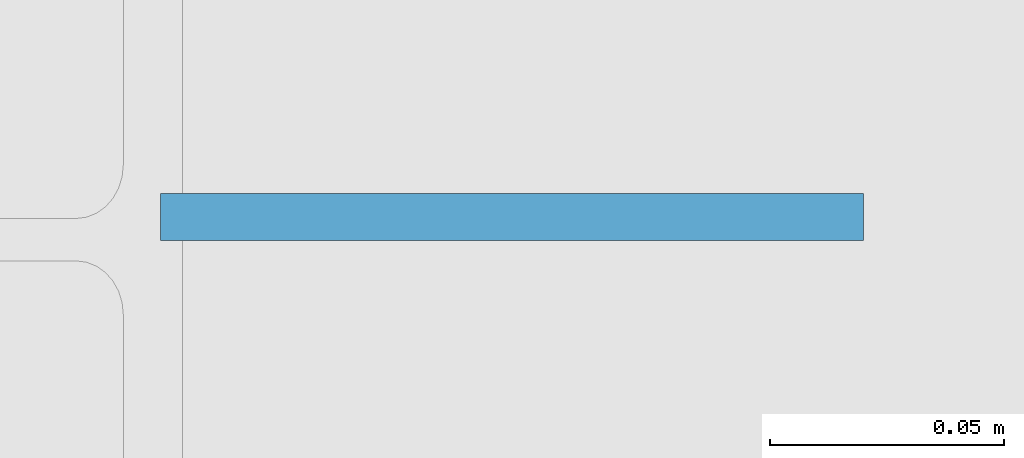
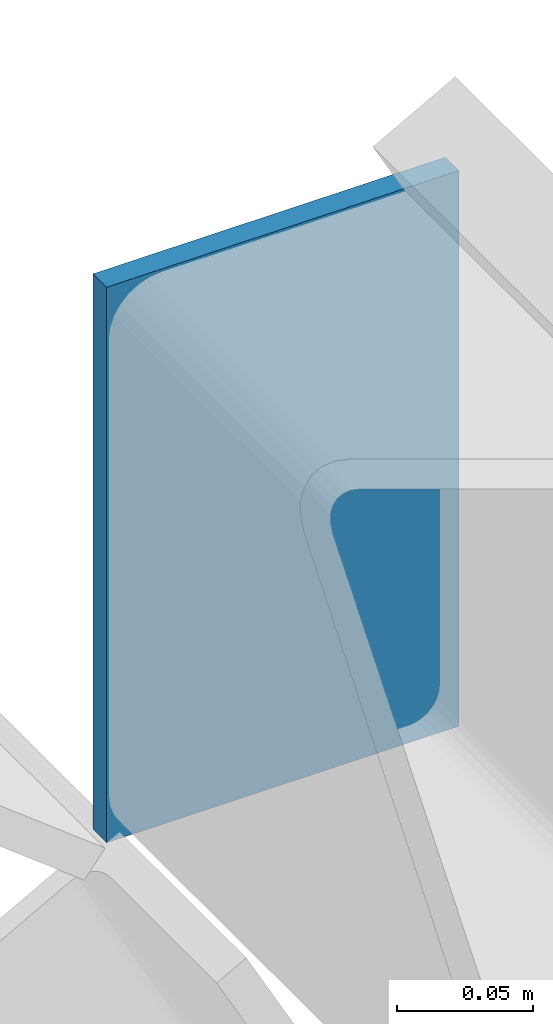
# One storey, part 57 of 62: 1 discrete accessory.
"""IFC4 building model written with IfcOpenShell, lengths in metres."""

from ifc_helpers import new_model, si_unit, direction, frame, origin, origin_2d, place, context, subcontext, project, spatial, rectangle, extrude, material, type_object, element, save


model = new_model("IFC4")

# Units and contexts
model_context = context("Model", 3, precision=1e-05, world=origin(), true_north=direction((0.0, 1.0)))
body_context = subcontext(model_context, "Body", "Model", "MODEL_VIEW")
ifc_project = project(units=[si_unit("LENGTHUNIT", "METRE"), si_unit("AREAUNIT", "SQUARE_METRE"), si_unit("VOLUMEUNIT", "CUBIC_METRE"), si_unit("PLANEANGLEUNIT", "RADIAN"), si_unit("MASSUNIT", "GRAM", prefix="KILO")], contexts=[model_context])

# Site, building, storey
site_placement = place(None, origin())
site = spatial("IfcSite", under=ifc_project, at=site_placement, CompositionType="ELEMENT")
building_placement = place(site_placement, origin())
building = spatial("IfcBuilding", under=site, at=building_placement, Name="Hortulan Conservatory and Botanical Research Centre", CompositionType="ELEMENT")
storey_placement = place(building_placement, frame((0.0, 0.0, 15.0)))
storey = spatial("IfcBuildingStorey", under=building, at=storey_placement, Name="L03", CompositionType="ELEMENT", Elevation=15.0)

# Discrete accessory
ifc_material = material(Name="Steel Grade 300 plate (AS/NZS 3678, 280 MPa minimum yield)", Category="steel")
discrete_accessory_type = type_object("IfcDiscreteAccessoryType", Name="End Plate 250x10", PredefinedType="BRACKET", material=ifc_material)
discrete_accessory_placement = place(storey_placement, frame((106.0205078125, 72.0048828125, 3.197021484375), z_axis=(0.0, 0.0, 1.0), x_axis=(1.0, 0.0, 0.0)))
element("IfcDiscreteAccessory", 1, at=discrete_accessory_placement, inside=storey, type_object=discrete_accessory_type, Name="Vault purlin 7 end plate N", PredefinedType="BRACKET", context=body_context, shape_type="SweptSolid", body=[
    extrude(rectangle(XDim=0.14990234375, YDim=0.010009765625, at=origin_2d()), origin(), (0.0, 0.0, 1.0), 0.25),
])

save(model, "model.ifc")
